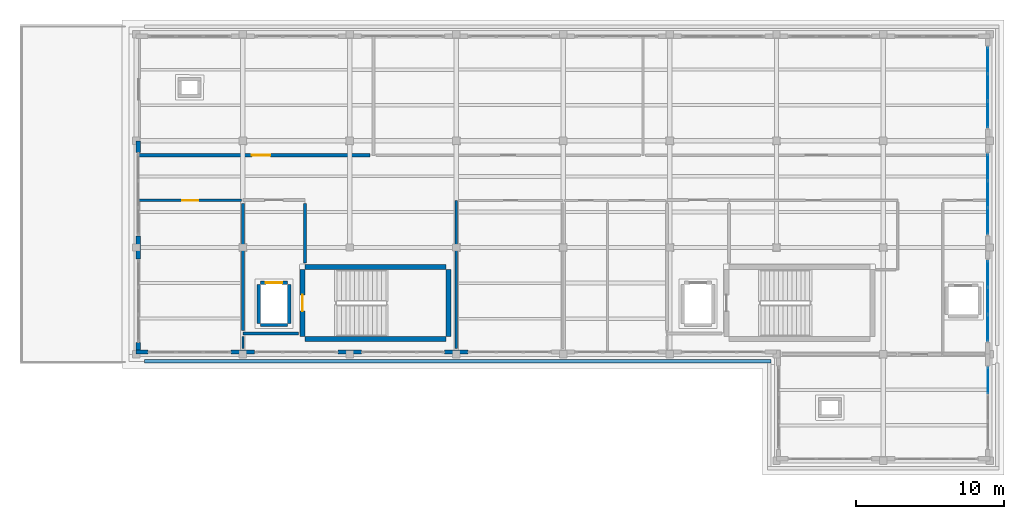
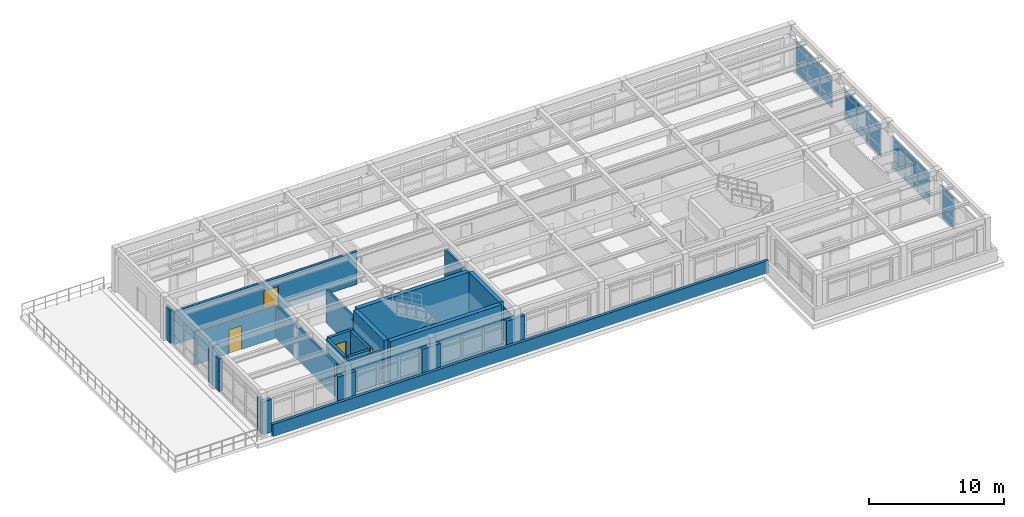
# One storey, part 13 of 18: 30 plates, 23 walls, 4 doors, 4 openings, 4 elements without a shape of their own.
"""IFC4 building model written with IfcOpenShell, lengths in metres."""

from ifc_helpers import new_model, si_unit, direction, frame, frame_2d, origin, origin_2d, place, context, subcontext, project, spatial, rectangle, extrude, material, layer, layer_set, type_object, element, fill, aggregate, save


model = new_model("IFC4")

# Units and contexts
model_context = context("Model", 3, precision=1e-05, world=origin(), true_north=direction((0.0, 1.0)))
body_context = subcontext(model_context, "Body", "Model", "MODEL_VIEW")
ifc_project = project(units=[si_unit("LENGTHUNIT", "METRE"), si_unit("AREAUNIT", "SQUARE_METRE"), si_unit("VOLUMEUNIT", "CUBIC_METRE"), si_unit("PLANEANGLEUNIT", "RADIAN"), si_unit("MASSUNIT", "GRAM", prefix="KILO")], contexts=[model_context])

# Site, building, storey
site_placement = place(None, origin())
site = spatial("IfcSite", under=ifc_project, at=site_placement, CompositionType="ELEMENT")
building_placement = place(site_placement, origin())
building = spatial("IfcBuilding", under=site, at=building_placement, Name="Solenvale Faculty of Natural Sciences", CompositionType="ELEMENT")
storey_placement = place(building_placement, frame((0.0, 0.0, 39.60009765625)))
storey = spatial("IfcBuildingStorey", under=building, at=storey_placement, Name="L09", CompositionType="ELEMENT", Elevation=39.60009765625)

# Curtain wall, plates
ifc_material_1 = material(Name="Anodised bronze aluminium", Category="aluminium")
ifc_layer_1 = layer(ifc_material_1, 0.179931640625)
ifc_layer_set_1 = layer_set([ifc_layer_1], Name="Anodised bronze aluminium")
curtain_wall_type = type_object("IfcCurtainWallType", Name="CW-TWR-MOD", PredefinedType="USERDEFINED", material=ifc_layer_set_1)
curtain_wall_1_placement = place(storey_placement, origin())
curtain_wall_1 = element("IfcCurtainWall", 1, at=curtain_wall_1_placement, inside=storey, type_object=curtain_wall_type, Name="L09 Curtain Wall CW-L09-P1-E7-B1", ObjectType="UNITISED CURTAIN WALL", PredefinedType="USERDEFINED")
ifc_material_2 = material(Name="Triple low-E insulated glass", Category="glass")
ifc_layer_2 = layer(ifc_material_2, 0.035888671875)
ifc_layer_set_2 = layer_set([ifc_layer_2], Name="Triple low-E insulated glass")
plate_type_1 = type_object("IfcPlateType", Name="CWP-PNL-36", PredefinedType="CURTAIN_PANEL", material=ifc_layer_set_2)
plate_1_placement = place(storey_placement, frame((151.0576171875, 91.814697265625, 0.074951171875), z_axis=(0.0, 0.0, 1.0), x_axis=(0.0, 1.0, 0.0)))
plate_1 = element("IfcPlate", 2, at=plate_1_placement, type_object=plate_type_1, Name="CW-04 panel 3.1", PredefinedType="CURTAIN_PANEL", context=body_context, shape_type="SweptSolid", body=[
    extrude(rectangle(XDim=1.720947265625, YDim=0.035888671875, at=origin_2d()), origin(), (0.0, 0.0, 1.0), 0.78759765625),
])
plate_2_placement = place(storey_placement, frame((151.0576171875, 91.814697265625, 0.9375), z_axis=(0.0, 0.0, 1.0), x_axis=(0.0, 1.0, 0.0)))
plate_2 = element("IfcPlate", 3, at=plate_2_placement, type_object=plate_type_1, Name="CW-04 panel 3.2", PredefinedType="CURTAIN_PANEL", context=body_context, shape_type="SweptSolid", body=[
    extrude(rectangle(XDim=1.720947265625, YDim=0.035888671875, at=origin_2d()), origin(), (0.0, 0.0, 1.0), 1.485107421875),
])
plate_3_placement = place(storey_placement, frame((151.0576171875, 91.814697265625, 2.49755859375), z_axis=(0.0, 0.0, 1.0), x_axis=(0.0, 1.0, 0.0)))
plate_3 = element("IfcPlate", 4, at=plate_3_placement, type_object=plate_type_1, Name="CW-04 panel 3.3", PredefinedType="CURTAIN_PANEL", context=body_context, shape_type="SweptSolid", body=[
    extrude(rectangle(XDim=1.720947265625, YDim=0.035888671875, at=origin_2d()), origin(), (0.0, 0.0, 1.0), 0.387451171875),
])
aggregate(curtain_wall_1, [plate_1, plate_2, plate_3])

curtain_wall_2_placement = place(storey_placement, origin())
curtain_wall_2 = element("IfcCurtainWall", 5, at=curtain_wall_2_placement, inside=storey, type_object=curtain_wall_type, Name="L09 Curtain Wall CW-L09-P1-E1-B1", ObjectType="UNITISED CURTAIN WALL", PredefinedType="USERDEFINED")
ifc_layer_3 = layer(ifc_material_2, 0.0439453125)
ifc_layer_set_3 = layer_set([ifc_layer_3], Name="Triple low-E insulated glass")
plate_type_2 = type_object("IfcPlateType", Name="CWP-PNL-44", PredefinedType="CURTAIN_PANEL", material=ifc_layer_set_3)
plate_4_placement = place(storey_placement, frame((151.0576171875, 95.385498046875, 0.074951171875), z_axis=(0.0, 0.0, 1.0), x_axis=(0.0, 1.0, 0.0)))
plate_4 = element("IfcPlate", 6, at=plate_4_placement, type_object=plate_type_2, Name="CW-04 panel 1.1", PredefinedType="CURTAIN_PANEL", context=body_context, shape_type="SweptSolid", body=[
    extrude(rectangle(XDim=1.720947265625, YDim=0.0439453125, at=origin_2d()), origin(), (0.0, 0.0, 1.0), 0.78759765625),
])
plate_5_placement = place(storey_placement, frame((151.0576171875, 95.385498046875, 0.9375), z_axis=(0.0, 0.0, 1.0), x_axis=(0.0, 1.0, 0.0)))
plate_5 = element("IfcPlate", 7, at=plate_5_placement, type_object=plate_type_2, Name="CW-04 panel 1.2", PredefinedType="CURTAIN_PANEL", context=body_context, shape_type="SweptSolid", body=[
    extrude(rectangle(XDim=1.720947265625, YDim=0.0439453125, at=origin_2d()), origin(), (0.0, 0.0, 1.0), 1.485107421875),
])
plate_6_placement = place(storey_placement, frame((151.0576171875, 95.385498046875, 2.49755859375), z_axis=(0.0, 0.0, 1.0), x_axis=(0.0, 1.0, 0.0)))
plate_6 = element("IfcPlate", 8, at=plate_6_placement, type_object=plate_type_2, Name="CW-04 panel 1.3", PredefinedType="CURTAIN_PANEL", context=body_context, shape_type="SweptSolid", body=[
    extrude(rectangle(XDim=1.720947265625, YDim=0.0439453125, at=origin_2d()), origin(), (0.0, 0.0, 1.0), 0.387451171875),
])
plate_7_placement = place(storey_placement, frame((151.0576171875, 97.199951171875, 0.074951171875), z_axis=(0.0, 0.0, 1.0), x_axis=(0.0, 1.0, 0.0)))
plate_7 = element("IfcPlate", 9, at=plate_7_placement, type_object=plate_type_2, Name="CW-04 panel 2.1", PredefinedType="CURTAIN_PANEL", context=body_context, shape_type="SweptSolid", body=[
    extrude(rectangle(XDim=1.75830078125, YDim=0.0439453125, at=origin_2d()), origin(), (0.0, 0.0, 1.0), 0.78759765625),
])
plate_8_placement = place(storey_placement, frame((151.0576171875, 97.199951171875, 0.9375), z_axis=(0.0, 0.0, 1.0), x_axis=(0.0, 1.0, 0.0)))
plate_8 = element("IfcPlate", 10, at=plate_8_placement, type_object=plate_type_2, Name="CW-04 panel 2.2", PredefinedType="CURTAIN_PANEL", context=body_context, shape_type="SweptSolid", body=[
    extrude(rectangle(XDim=1.75830078125, YDim=0.0439453125, at=origin_2d()), origin(), (0.0, 0.0, 1.0), 1.485107421875),
])
plate_9_placement = place(storey_placement, frame((151.0576171875, 97.199951171875, 2.49755859375), z_axis=(0.0, 0.0, 1.0), x_axis=(0.0, 1.0, 0.0)))
plate_9 = element("IfcPlate", 11, at=plate_9_placement, type_object=plate_type_2, Name="CW-04 panel 2.3", PredefinedType="CURTAIN_PANEL", context=body_context, shape_type="SweptSolid", body=[
    extrude(rectangle(XDim=1.75830078125, YDim=0.0439453125, at=origin_2d()), origin(), (0.0, 0.0, 1.0), 0.387451171875),
])
plate_10_placement = place(storey_placement, frame((151.0576171875, 99.0146484375, 0.074951171875), z_axis=(0.0, 0.0, 1.0), x_axis=(0.0, 1.0, 0.0)))
plate_10 = element("IfcPlate", 12, at=plate_10_placement, type_object=plate_type_2, Name="CW-04 panel 3.1", PredefinedType="CURTAIN_PANEL", context=body_context, shape_type="SweptSolid", body=[
    extrude(rectangle(XDim=1.720947265625, YDim=0.0439453125, at=origin_2d()), origin(), (0.0, 0.0, 1.0), 0.78759765625),
])
plate_11_placement = place(storey_placement, frame((151.0576171875, 99.0146484375, 0.9375), z_axis=(0.0, 0.0, 1.0), x_axis=(0.0, 1.0, 0.0)))
plate_11 = element("IfcPlate", 13, at=plate_11_placement, type_object=plate_type_2, Name="CW-04 panel 3.2", PredefinedType="CURTAIN_PANEL", context=body_context, shape_type="SweptSolid", body=[
    extrude(rectangle(XDim=1.720947265625, YDim=0.0439453125, at=origin_2d()), origin(), (0.0, 0.0, 1.0), 1.485107421875),
])
plate_12_placement = place(storey_placement, frame((151.0576171875, 99.0146484375, 2.49755859375), z_axis=(0.0, 0.0, 1.0), x_axis=(0.0, 1.0, 0.0)))
plate_12 = element("IfcPlate", 14, at=plate_12_placement, type_object=plate_type_2, Name="CW-04 panel 3.3", PredefinedType="CURTAIN_PANEL", context=body_context, shape_type="SweptSolid", body=[
    extrude(rectangle(XDim=1.720947265625, YDim=0.0439453125, at=origin_2d()), origin(), (0.0, 0.0, 1.0), 0.387451171875),
])
aggregate(curtain_wall_2, [plate_4, plate_5, plate_6, plate_7, plate_8, plate_9, plate_10, plate_11, plate_12])

curtain_wall_3_placement = place(storey_placement, origin())
curtain_wall_3 = element("IfcCurtainWall", 15, at=curtain_wall_3_placement, inside=storey, type_object=curtain_wall_type, Name="L09 Curtain Wall CW-L09-P1-E1-B2", ObjectType="UNITISED CURTAIN WALL", PredefinedType="USERDEFINED")
ifc_layer_4 = layer(ifc_material_1, 0.048095703125)
ifc_layer_set_4 = layer_set([ifc_layer_4], Name="Anodised bronze aluminium")
plate_type_3 = type_object("IfcPlateType", Name="CWP-PNL-48", PredefinedType="CURTAIN_PANEL", material=ifc_layer_set_4)
plate_13_placement = place(storey_placement, frame((151.0576171875, 102.58544921875, 0.074951171875), z_axis=(0.0, 0.0, 1.0), x_axis=(0.0, 1.0, 0.0)))
plate_13 = element("IfcPlate", 16, at=plate_13_placement, type_object=plate_type_3, Name="CW-04 panel 1.1", PredefinedType="CURTAIN_PANEL", context=body_context, shape_type="SweptSolid", body=[
    extrude(rectangle(XDim=1.720947265625, YDim=0.048095703125, at=origin_2d()), origin(), (0.0, 0.0, 1.0), 0.78759765625),
])
plate_14_placement = place(storey_placement, frame((151.0576171875, 102.58544921875, 0.9375), z_axis=(0.0, 0.0, 1.0), x_axis=(0.0, 1.0, 0.0)))
plate_14 = element("IfcPlate", 17, at=plate_14_placement, type_object=plate_type_3, Name="CW-04 panel 1.2", PredefinedType="CURTAIN_PANEL", context=body_context, shape_type="SweptSolid", body=[
    extrude(rectangle(XDim=1.720947265625, YDim=0.048095703125, at=origin_2d()), origin(), (0.0, 0.0, 1.0), 1.485107421875),
])
plate_15_placement = place(storey_placement, frame((151.0576171875, 102.58544921875, 2.49755859375), z_axis=(0.0, 0.0, 1.0), x_axis=(0.0, 1.0, 0.0)))
plate_15 = element("IfcPlate", 18, at=plate_15_placement, type_object=plate_type_3, Name="CW-04 panel 1.3", PredefinedType="CURTAIN_PANEL", context=body_context, shape_type="SweptSolid", body=[
    extrude(rectangle(XDim=1.720947265625, YDim=0.048095703125, at=origin_2d()), origin(), (0.0, 0.0, 1.0), 0.387451171875),
])
plate_16_placement = place(storey_placement, frame((151.0576171875, 104.39990234375, 0.074951171875), z_axis=(0.0, 0.0, 1.0), x_axis=(0.0, 1.0, 0.0)))
plate_16 = element("IfcPlate", 19, at=plate_16_placement, type_object=plate_type_3, Name="CW-04 panel 2.1", PredefinedType="CURTAIN_PANEL", context=body_context, shape_type="SweptSolid", body=[
    extrude(rectangle(XDim=1.75830078125, YDim=0.048095703125, at=origin_2d()), origin(), (0.0, 0.0, 1.0), 0.78759765625),
])
plate_17_placement = place(storey_placement, frame((151.0576171875, 104.39990234375, 0.9375), z_axis=(0.0, 0.0, 1.0), x_axis=(0.0, 1.0, 0.0)))
plate_17 = element("IfcPlate", 20, at=plate_17_placement, type_object=plate_type_3, Name="CW-04 panel 2.2", PredefinedType="CURTAIN_PANEL", context=body_context, shape_type="SweptSolid", body=[
    extrude(rectangle(XDim=1.75830078125, YDim=0.048095703125, at=origin_2d()), origin(), (0.0, 0.0, 1.0), 1.485107421875),
])
plate_18_placement = place(storey_placement, frame((151.0576171875, 104.39990234375, 2.49755859375), z_axis=(0.0, 0.0, 1.0), x_axis=(0.0, 1.0, 0.0)))
plate_18 = element("IfcPlate", 21, at=plate_18_placement, type_object=plate_type_3, Name="CW-04 panel 2.3", PredefinedType="CURTAIN_PANEL", context=body_context, shape_type="SweptSolid", body=[
    extrude(rectangle(XDim=1.75830078125, YDim=0.048095703125, at=origin_2d()), origin(), (0.0, 0.0, 1.0), 0.387451171875),
])
plate_19_placement = place(storey_placement, frame((151.0576171875, 106.214599609375, 0.074951171875), z_axis=(0.0, 0.0, 1.0), x_axis=(0.0, 1.0, 0.0)))
plate_19 = element("IfcPlate", 22, at=plate_19_placement, type_object=plate_type_3, Name="CW-04 panel 3.1", PredefinedType="CURTAIN_PANEL", context=body_context, shape_type="SweptSolid", body=[
    extrude(rectangle(XDim=1.720947265625, YDim=0.048095703125, at=origin_2d()), origin(), (0.0, 0.0, 1.0), 0.78759765625),
])
plate_20_placement = place(storey_placement, frame((151.0576171875, 106.214599609375, 0.9375), z_axis=(0.0, 0.0, 1.0), x_axis=(0.0, 1.0, 0.0)))
plate_20 = element("IfcPlate", 23, at=plate_20_placement, type_object=plate_type_3, Name="CW-04 panel 3.2", PredefinedType="CURTAIN_PANEL", context=body_context, shape_type="SweptSolid", body=[
    extrude(rectangle(XDim=1.720947265625, YDim=0.048095703125, at=origin_2d()), origin(), (0.0, 0.0, 1.0), 1.485107421875),
])
plate_21_placement = place(storey_placement, frame((151.0576171875, 106.214599609375, 2.49755859375), z_axis=(0.0, 0.0, 1.0), x_axis=(0.0, 1.0, 0.0)))
plate_21 = element("IfcPlate", 24, at=plate_21_placement, type_object=plate_type_3, Name="CW-04 panel 3.3", PredefinedType="CURTAIN_PANEL", context=body_context, shape_type="SweptSolid", body=[
    extrude(rectangle(XDim=1.720947265625, YDim=0.048095703125, at=origin_2d()), origin(), (0.0, 0.0, 1.0), 0.387451171875),
])
aggregate(curtain_wall_3, [plate_13, plate_14, plate_15, plate_16, plate_17, plate_18, plate_19, plate_20, plate_21])

curtain_wall_4_placement = place(storey_placement, origin())
curtain_wall_4 = element("IfcCurtainWall", 25, at=curtain_wall_4_placement, inside=storey, type_object=curtain_wall_type, Name="L09 Curtain Wall CW-L09-P1-E1-B3", ObjectType="UNITISED CURTAIN WALL", PredefinedType="USERDEFINED")
ifc_layer_5 = layer(ifc_material_1, 0.053955078125)
ifc_layer_set_5 = layer_set([ifc_layer_5], Name="Anodised bronze aluminium")
plate_type_4 = type_object("IfcPlateType", Name="CWP-PNL-54", PredefinedType="CURTAIN_PANEL", material=ifc_layer_set_5)
plate_22_placement = place(storey_placement, frame((151.0576171875, 109.785400390625, 0.074951171875), z_axis=(0.0, 0.0, 1.0), x_axis=(0.0, 1.0, 0.0)))
plate_22 = element("IfcPlate", 26, at=plate_22_placement, type_object=plate_type_4, Name="CW-04 panel 1.1", PredefinedType="CURTAIN_PANEL", context=body_context, shape_type="SweptSolid", body=[
    extrude(rectangle(XDim=1.720947265625, YDim=0.053955078125, at=origin_2d()), origin(), (0.0, 0.0, 1.0), 0.78759765625),
])
plate_23_placement = place(storey_placement, frame((151.0576171875, 109.785400390625, 0.9375), z_axis=(0.0, 0.0, 1.0), x_axis=(0.0, 1.0, 0.0)))
plate_23 = element("IfcPlate", 27, at=plate_23_placement, type_object=plate_type_4, Name="CW-04 panel 1.2", PredefinedType="CURTAIN_PANEL", context=body_context, shape_type="SweptSolid", body=[
    extrude(rectangle(XDim=1.720947265625, YDim=0.053955078125, at=origin_2d()), origin(), (0.0, 0.0, 1.0), 1.485107421875),
])
plate_24_placement = place(storey_placement, frame((151.0576171875, 109.785400390625, 2.49755859375), z_axis=(0.0, 0.0, 1.0), x_axis=(0.0, 1.0, 0.0)))
plate_24 = element("IfcPlate", 28, at=plate_24_placement, type_object=plate_type_4, Name="CW-04 panel 1.3", PredefinedType="CURTAIN_PANEL", context=body_context, shape_type="SweptSolid", body=[
    extrude(rectangle(XDim=1.720947265625, YDim=0.053955078125, at=origin_2d()), origin(), (0.0, 0.0, 1.0), 0.387451171875),
])
plate_25_placement = place(storey_placement, frame((151.0576171875, 111.60009765625, 0.074951171875), z_axis=(0.0, 0.0, 1.0), x_axis=(0.0, 1.0, 0.0)))
plate_25 = element("IfcPlate", 29, at=plate_25_placement, type_object=plate_type_4, Name="CW-04 panel 2.1", PredefinedType="CURTAIN_PANEL", context=body_context, shape_type="SweptSolid", body=[
    extrude(rectangle(XDim=1.75830078125, YDim=0.053955078125, at=origin_2d()), origin(), (0.0, 0.0, 1.0), 0.78759765625),
])
plate_26_placement = place(storey_placement, frame((151.0576171875, 111.60009765625, 0.9375), z_axis=(0.0, 0.0, 1.0), x_axis=(0.0, 1.0, 0.0)))
plate_26 = element("IfcPlate", 30, at=plate_26_placement, type_object=plate_type_4, Name="CW-04 panel 2.2", PredefinedType="CURTAIN_PANEL", context=body_context, shape_type="SweptSolid", body=[
    extrude(rectangle(XDim=1.75830078125, YDim=0.053955078125, at=origin_2d()), origin(), (0.0, 0.0, 1.0), 1.485107421875),
])
plate_27_placement = place(storey_placement, frame((151.0576171875, 111.60009765625, 2.49755859375), z_axis=(0.0, 0.0, 1.0), x_axis=(0.0, 1.0, 0.0)))
plate_27 = element("IfcPlate", 31, at=plate_27_placement, type_object=plate_type_4, Name="CW-04 panel 2.3", PredefinedType="CURTAIN_PANEL", context=body_context, shape_type="SweptSolid", body=[
    extrude(rectangle(XDim=1.75830078125, YDim=0.053955078125, at=origin_2d()), origin(), (0.0, 0.0, 1.0), 0.387451171875),
])
plate_28_placement = place(storey_placement, frame((151.0576171875, 113.41455078125, 0.074951171875), z_axis=(0.0, 0.0, 1.0), x_axis=(0.0, 1.0, 0.0)))
plate_28 = element("IfcPlate", 32, at=plate_28_placement, type_object=plate_type_4, Name="CW-04 panel 3.1", PredefinedType="CURTAIN_PANEL", context=body_context, shape_type="SweptSolid", body=[
    extrude(rectangle(XDim=1.720947265625, YDim=0.053955078125, at=origin_2d()), origin(), (0.0, 0.0, 1.0), 0.78759765625),
])
plate_29_placement = place(storey_placement, frame((151.0576171875, 113.41455078125, 0.9375), z_axis=(0.0, 0.0, 1.0), x_axis=(0.0, 1.0, 0.0)))
plate_29 = element("IfcPlate", 33, at=plate_29_placement, type_object=plate_type_4, Name="CW-04 panel 3.2", PredefinedType="CURTAIN_PANEL", context=body_context, shape_type="SweptSolid", body=[
    extrude(rectangle(XDim=1.720947265625, YDim=0.053955078125, at=origin_2d()), origin(), (0.0, 0.0, 1.0), 1.485107421875),
])
plate_30_placement = place(storey_placement, frame((151.0576171875, 113.41455078125, 2.49755859375), z_axis=(0.0, 0.0, 1.0), x_axis=(0.0, 1.0, 0.0)))
plate_30 = element("IfcPlate", 34, at=plate_30_placement, type_object=plate_type_4, Name="CW-04 panel 3.3", PredefinedType="CURTAIN_PANEL", context=body_context, shape_type="SweptSolid", body=[
    extrude(rectangle(XDim=1.720947265625, YDim=0.053955078125, at=origin_2d()), origin(), (0.0, 0.0, 1.0), 0.387451171875),
])
aggregate(curtain_wall_4, [plate_22, plate_23, plate_24, plate_25, plate_26, plate_27, plate_28, plate_29, plate_30])

# Walls
ifc_material_3 = material(Name="Precast concrete 40 MPa", Category="concrete")
ifc_layer_6 = layer(ifc_material_3, 0.284912109375)
ifc_layer_set_6 = layer_set([ifc_layer_6], Name="Precast concrete 40 MPa")
wall_type_1 = type_object("IfcWallType", Name="WL-EXT-PRC-285", PredefinedType="STANDARD", material=ifc_layer_set_6)
wall_1_placement = place(storey_placement, frame((93.742431640625, 108.0, 0.0), z_axis=(0.0, 0.0, 1.0), x_axis=(0.0, -1.0, 0.0)))
element("IfcWall", 35, at=wall_1_placement, inside=storey, type_object=wall_type_1, Name="L09 Facade Closure Pier 3.B2-L", PredefinedType="STANDARD", context=body_context, shape_type="SweptSolid", body=[
    extrude(rectangle(XDim=0.7880859375, YDim=0.284912109375, at=frame_2d((0.39404296875, 0.0))), origin(), (0.0, 0.0, 1.0), 2.9599609375),
])
wall_2_placement = place(storey_placement, frame((93.742431640625, 101.587890625, 0.0), z_axis=(0.0, 0.0, 1.0), x_axis=(0.0, -1.0, 0.0)))
element("IfcWall", 36, at=wall_2_placement, inside=storey, type_object=wall_type_1, Name="L09 Facade Closure Pier 3.B2-R", PredefinedType="STANDARD", context=body_context, shape_type="SweptSolid", body=[
    extrude(rectangle(XDim=1.575927734375, YDim=0.284912109375, at=frame_2d((0.7880859375, 0.0))), origin(), (0.0, 0.0, 1.0), 2.9599609375),
])
wall_3_placement = place(storey_placement, frame((93.742431640625, 94.387939453125, 0.0), z_axis=(0.0, 0.0, 1.0), x_axis=(0.0, -1.0, 0.0)))
element("IfcWall", 37, at=wall_3_placement, inside=storey, type_object=wall_type_1, Name="L09 Facade Closure Pier 3.B3-R", PredefinedType="STANDARD", context=body_context, shape_type="SweptSolid", body=[
    extrude(rectangle(XDim=0.5029296875, YDim=0.284912109375, at=frame_2d((0.25146484375, 0.0))), origin(), (0.0, 0.0, 1.0), 2.9599609375),
])
wall_4_placement = place(storey_placement, frame((93.60009765625, 93.742431640625, 0.0), z_axis=(0.0, 0.0, 1.0), x_axis=(1.0, 0.0, 0.0)))
element("IfcWall", 38, at=wall_4_placement, inside=storey, type_object=wall_type_1, Name="L09 Facade Closure Pier 4.B1-L", PredefinedType="STANDARD", context=body_context, shape_type="SweptSolid", body=[
    extrude(rectangle(XDim=0.787841796875, YDim=0.284912109375, at=frame_2d((0.39404296875, 0.0))), origin(), (0.0, 0.0, 1.0), 2.9599609375),
])
wall_5_placement = place(storey_placement, frame((100.011962890625, 93.742431640625, 0.0), z_axis=(0.0, 0.0, 1.0), x_axis=(1.0, 0.0, 0.0)))
element("IfcWall", 39, at=wall_5_placement, inside=storey, type_object=wall_type_1, Name="L09 Facade Closure Pier 4.B1-R", PredefinedType="STANDARD", context=body_context, shape_type="SweptSolid", body=[
    extrude(rectangle(XDim=1.575927734375, YDim=0.284912109375, at=frame_2d((0.7880859375, 0.0))), origin(), (0.0, 0.0, 1.0), 2.9599609375),
])
wall_6_placement = place(storey_placement, frame((107.2119140625, 93.742431640625, 0.0), z_axis=(0.0, 0.0, 1.0), x_axis=(1.0, 0.0, 0.0)))
element("IfcWall", 40, at=wall_6_placement, inside=storey, type_object=wall_type_1, Name="L09 Facade Closure Pier 4.B2-R", PredefinedType="STANDARD", context=body_context, shape_type="SweptSolid", body=[
    extrude(rectangle(XDim=1.576171875, YDim=0.284912109375, at=frame_2d((0.7880859375, 0.0))), origin(), (0.0, 0.0, 1.0), 2.9599609375),
])
wall_7_placement = place(storey_placement, frame((114.412109375, 93.742431640625, 0.0), z_axis=(0.0, 0.0, 1.0), x_axis=(1.0, 0.0, 0.0)))
element("IfcWall", 41, at=wall_7_placement, inside=storey, type_object=wall_type_1, Name="L09 Facade Closure Pier 4.B3-R", PredefinedType="STANDARD", context=body_context, shape_type="SweptSolid", body=[
    extrude(rectangle(XDim=1.575927734375, YDim=0.284912109375, at=frame_2d((0.7880859375, 0.0))), origin(), (0.0, 0.0, 1.0), 2.9599609375),
])
ifc_material_4 = material(Name="Gypsum fire-rated shaftwall")
ifc_layer_7 = layer(ifc_material_4, 0.205078125)
ifc_layer_set_7 = layer_set([ifc_layer_7], Name="Gypsum fire-rated shaftwall")
wall_type_2 = type_object("IfcWallType", Name="WL-FFL-205", PredefinedType="PARTITIONING", material=ifc_layer_set_7)
wall_8_placement = place(storey_placement, frame((105.0, 103.782958984375, 0.0), z_axis=(0.0, 0.0, 1.0), x_axis=(0.0, -1.0, 0.0)))
element("IfcWall", 42, at=wall_8_placement, inside=storey, type_object=wall_type_2, Name="L09 Firefighting Lobby C4 Partition 2", PredefinedType="PARTITIONING", context=body_context, shape_type="SweptSolid", body=[
    extrude(rectangle(XDim=4.01904296875, YDim=0.205078125, at=frame_2d((2.009521484375, 0.0))), origin(), (0.0, 0.0, 1.0), 2.9599609375),
])
wall_9_placement = place(storey_placement, frame((104.534912109375, 95.0, 0.0), z_axis=(0.0, 0.0, 1.0), x_axis=(-1.0, 0.0, 0.0)))
element("IfcWall", 43, at=wall_9_placement, inside=storey, type_object=wall_type_2, Name="L09 Firefighting Lobby C4 Partition 20", PredefinedType="PARTITIONING", context=body_context, shape_type="SweptSolid", body=[
    extrude(rectangle(XDim=3.73486328125, YDim=0.205078125, at=frame_2d((1.867431640625, 0.0))), origin(), (0.0, 0.0, 1.0), 2.9599609375),
])
wall_10_placement = place(storey_placement, frame((100.800048828125, 95.217041015625, 0.0), z_axis=(0.0, 0.0, 1.0), x_axis=(0.0, 1.0, 0.0)))
element("IfcWall", 44, at=wall_10_placement, inside=storey, type_object=wall_type_2, Name="L09 Firefighting Lobby C4 Partition 21", PredefinedType="PARTITIONING", context=body_context, shape_type="SweptSolid", body=[
    extrude(rectangle(XDim=8.56591796875, YDim=0.205078125, at=frame_2d((4.282958984375, 0.0))), origin(), (0.0, 0.0, 1.0), 2.9599609375),
])

# Wall, opening, door
ifc_material_5 = material(Name="Gypsum fire-rated laboratory partition")
ifc_layer_8 = layer(ifc_material_5, 0.2119140625)
ifc_layer_set_8 = layer_set([ifc_layer_8], Name="Gypsum fire-rated laboratory partition")
wall_type_3 = type_object("IfcWallType", Name="WL-LAB-212", PredefinedType="PARTITIONING", material=ifc_layer_set_8)
wall_11_placement = place(storey_placement, frame((109.3759765625, 107.02001953125, 0.0), z_axis=(0.0, 0.0, 1.0), x_axis=(-1.0, 0.0, 0.0)))
wall_11 = element("IfcWall", 45, at=wall_11_placement, inside=storey, type_object=wall_type_3, Name="L09 Biophysics and Neurobiology Research Laboratory Partition 4", PredefinedType="PARTITIONING", context=body_context, shape_type="SweptSolid", body=[
    extrude(rectangle(XDim=15.593017578125, YDim=0.2119140625, at=frame_2d((7.79638671875, 0.0))), origin(), (0.0, 0.0, 1.0), 2.9599609375),
])
opening_1_placement = place(wall_11_placement, frame((6.721923828125, 0.0, 0.0)))
opening_1 = element("IfcOpeningElement", 46, at=opening_1_placement, cuts=wall_11, Name="Opening D-L09-03", PredefinedType="OPENING", context=body_context, shape_type="SweptSolid", body=[
    extrude(rectangle(XDim=1.25, YDim=2.14990234375, at=frame_2d((0.625, 1.074951171875))), frame((0.0, 0.115966796875, 0.0), z_axis=(0.0, -1.0, 0.0), x_axis=(1.0, 0.0, 0.0)), (0.0, 0.0, 1.0), 0.23193359375),
])
ifc_material_6 = material(Name="Oak acoustic timber leaf", Category="wood")
door_type_1 = type_object("IfcDoorType", Name="DR-LAB-1250x2150", OperationType="NOTDEFINED", PredefinedType="DOOR", material=ifc_material_6)
door_1_placement = place(opening_1_placement, origin())
door_1 = element("IfcDoor", 47, at=door_1_placement, inside=storey, type_object=door_type_1, Name="L09 Biophysics and Neurobiology Research Laboratory Door", OperationType="SINGLE_SWING_RIGHT", OverallHeight=2.14990234375, OverallWidth=1.25, PredefinedType="DOOR", context=body_context, shape_type="SweptSolid", body=[
    extrude(rectangle(XDim=1.25, YDim=2.14990234375, at=frame_2d((0.625, 1.074951171875))), frame((0.0, 0.02490234375, 0.0), z_axis=(0.0, -1.0, 0.0), x_axis=(1.0, 0.0, 0.0)), (0.0, 0.0, 1.0), 0.050048828125),
])
fill(opening_1, door_1)

# Wall
ifc_material_7 = material(Name="Architectural bronze concrete 40 MPa", Category="concrete")
ifc_layer_9 = layer(ifc_material_7, 0.239990234375)
ifc_layer_set_9 = layer_set([ifc_layer_9], Name="Architectural bronze concrete 40 MPa")
wall_type_4 = type_object("IfcWallType", Name="WL-PAR-BRZ-240", PredefinedType="PARAPET", material=ifc_layer_set_9)
wall_12_placement = place(storey_placement, frame((136.43994140625, 93.1201171875, 0.0), z_axis=(0.0, 0.0, 1.0), x_axis=(-1.0, 0.0, 0.0)))
element("IfcWall", 48, at=wall_12_placement, inside=storey, type_object=wall_type_4, Name="L09 Tower Horizontal Concrete Band 1", PredefinedType="PARAPET", context=body_context, shape_type="SweptSolid", body=[
    extrude(rectangle(XDim=42.280029296875, YDim=0.239990234375, at=frame_2d((21.14013671875, 0.0))), origin(), (0.0, 0.0, 1.0), 1.119873046875),
])

# Wall, opening, door
ifc_material_8 = material(Name="Acoustic double-stud gypsum partition")
ifc_layer_10 = layer(ifc_material_8, 0.155029296875)
ifc_layer_set_10 = layer_set([ifc_layer_10], Name="Acoustic double-stud gypsum partition")
wall_type_5 = type_object("IfcWallType", Name="WL-SEM-155", PredefinedType="PARTITIONING", material=ifc_layer_set_10)
wall_13_placement = place(storey_placement, frame((93.782958984375, 103.97998046875, 0.0), z_axis=(0.0, 0.0, 1.0), x_axis=(1.0, 0.0, 0.0)))
wall_13 = element("IfcWall", 49, at=wall_13_placement, inside=storey, type_object=wall_type_5, Name="L09 Seminar Room Partition 2", PredefinedType="PARTITIONING", context=body_context, shape_type="SweptSolid", body=[
    extrude(rectangle(XDim=6.927001953125, YDim=0.155029296875, at=frame_2d((3.46337890625, 0.0))), origin(), (0.0, 0.0, 1.0), 2.9599609375),
])
opening_2_placement = place(wall_13_placement, frame((2.923095703125, 0.0, 0.0)))
opening_2 = element("IfcOpeningElement", 50, at=opening_2_placement, cuts=wall_13, Name="Opening D-L09-06", PredefinedType="OPENING", context=body_context, shape_type="SweptSolid", body=[
    extrude(rectangle(XDim=1.080078125, YDim=2.14990234375, at=frame_2d((0.5400390625, 1.074951171875))), frame((0.0, 0.08740234375, 0.0), z_axis=(0.0, -1.0, 0.0), x_axis=(1.0, 0.0, 0.0)), (0.0, 0.0, 1.0), 0.175048828125),
])
door_type_2 = type_object("IfcDoorType", Name="DR-SEM-1080x2150", OperationType="NOTDEFINED", PredefinedType="DOOR", material=ifc_material_6)
door_2_placement = place(opening_2_placement, origin())
door_2 = element("IfcDoor", 51, at=door_2_placement, inside=storey, type_object=door_type_2, Name="L09 Seminar Room Door", OperationType="SINGLE_SWING_LEFT", OverallHeight=2.14990234375, OverallWidth=1.080078125, PredefinedType="DOOR", context=body_context, shape_type="SweptSolid", body=[
    extrude(rectangle(XDim=1.080078125, YDim=2.14990234375, at=frame_2d((0.5400390625, 1.074951171875))), frame((0.0, 0.02490234375, 0.0), z_axis=(0.0, -1.0, 0.0), x_axis=(1.0, 0.0, 0.0)), (0.0, 0.0, 1.0), 0.050048828125),
])
fill(opening_2, door_2)

# Walls
wall_14_placement = place(storey_placement, frame((100.800048828125, 94.80810546875, 0.0), z_axis=(0.0, 0.0, 1.0), x_axis=(0.0, -1.0, 0.0)))
element("IfcWall", 52, at=wall_14_placement, inside=storey, type_object=wall_type_5, Name="L09 Seminar Room Partition 20", PredefinedType="PARTITIONING", context=body_context, shape_type="SweptSolid", body=[
    extrude(rectangle(XDim=0.8330078125, YDim=0.155029296875, at=frame_2d((0.41650390625, 0.0))), origin(), (0.0, 0.0, 1.0), 2.9599609375),
])
ifc_material_9 = material(Name="Concrete 40 MPa", Category="concrete")
ifc_layer_11 = layer(ifc_material_9, 0.219970703125)
ifc_layer_set_11 = layer_set([ifc_layer_11], Name="Concrete 40 MPa")
wall_type_6 = type_object("IfcWallType", Name="WL-SHF-220", PredefinedType="STANDARD", material=ifc_layer_set_11)
wall_15_placement = place(storey_placement, frame((101.97998046875, 95.570068359375, 0.0), z_axis=(0.0, 0.0, 1.0), x_axis=(1.0, 0.0, 0.0)))
element("IfcWall", 53, at=wall_15_placement, inside=storey, type_object=wall_type_6, Name="Elevator LF-01 L09 Shaft Wall S", PredefinedType="STANDARD", context=body_context, shape_type="SweptSolid", body=[
    extrude(rectangle(XDim=1.840087890625, YDim=0.219970703125, at=frame_2d((0.919921875, 0.0))), origin(), (0.0, 0.0, 1.0), 2.9599609375),
])

# Wall, opening, door
wall_16_placement = place(storey_placement, frame((101.97998046875, 98.429931640625, 0.0), z_axis=(0.0, 0.0, 1.0), x_axis=(1.0, 0.0, 0.0)))
wall_16 = element("IfcWall", 54, at=wall_16_placement, inside=storey, type_object=wall_type_6, Name="Elevator LF-01 L09 Shaft Wall N", PredefinedType="STANDARD", context=body_context, shape_type="SweptSolid", body=[
    extrude(rectangle(XDim=1.840087890625, YDim=0.219970703125, at=frame_2d((0.919921875, 0.0))), origin(), (0.0, 0.0, 1.0), 2.9599609375),
])
opening_3_placement = place(wall_16_placement, frame((0.3701171875, 0.0, 0.0)))
opening_3 = element("IfcOpeningElement", 55, at=opening_3_placement, cuts=wall_16, Name="Opening LD-LF-01-L09", PredefinedType="OPENING", context=body_context, shape_type="SweptSolid", body=[
    extrude(rectangle(XDim=1.10009765625, YDim=2.14990234375, at=frame_2d((0.550048828125, 1.074951171875))), frame((0.0, 0.119873046875, 0.0), z_axis=(0.0, -1.0, 0.0), x_axis=(1.0, 0.0, 0.0)), (0.0, 0.0, 1.0), 0.239990234375),
])
ifc_material_10 = material(Name="Stainless steel Grade 304", Category="steel")
door_type_3 = type_object("IfcDoorType", Name="DR-LIFT-1100x2150", OperationType="NOTDEFINED", PredefinedType="DOOR", material=ifc_material_10)
door_3_placement = place(opening_3_placement, origin())
door_3 = element("IfcDoor", 56, at=door_3_placement, inside=storey, type_object=door_type_3, Name="Elevator LF-01 L09 Sliding Landing Door", OperationType="SLIDING_TO_RIGHT", OverallHeight=2.14990234375, OverallWidth=1.10009765625, PredefinedType="DOOR", context=body_context, shape_type="SweptSolid", body=[
    extrude(rectangle(XDim=1.10009765625, YDim=2.14990234375, at=frame_2d((0.550048828125, 1.074951171875))), frame((0.0, 0.02490234375, 0.0), z_axis=(0.0, -1.0, 0.0), x_axis=(1.0, 0.0, 0.0)), (0.0, 0.0, 1.0), 0.050048828125),
])
fill(opening_3, door_3)

# Walls
for number, where, z_axis, x_axis, name in (
    (57, (101.8701171875, 95.679931640625, 0.0), (0.0, 0.0, 1.0), (0.0, 1.0, 0.0), "Elevator LF-01 L09 Shaft Wall W"),
    (58, (103.929931640625, 95.679931640625, 0.0), (0.0, 0.0, 1.0), (0.0, 1.0, 0.0), "Elevator LF-01 L09 Shaft Wall E"),
):
    element("IfcWall", number, at=place(storey_placement, frame(where, z_axis=z_axis, x_axis=x_axis)), inside=storey, type_object=wall_type_6, Name=name, PredefinedType="STANDARD", context=body_context, shape_type="SweptSolid", body=[
        extrude(rectangle(XDim=2.64013671875, YDim=0.219970703125, at=frame_2d((1.320068359375, 0.0))), origin(), (0.0, 0.0, 1.0), 2.9599609375),
    ])
ifc_material_11 = material(Name="Concrete 50 MPa", Category="concrete")
ifc_layer_12 = layer(ifc_material_11, 0.35009765625)
ifc_layer_set_12 = layer_set([ifc_layer_12], Name="Concrete 50 MPa")
wall_type_7 = type_object("IfcWallType", Name="WL-SHR-350", PredefinedType="SHEAR", material=ifc_layer_set_12)
for number, where, z_axis, x_axis, name in (
    (59, (105.0, 94.625, 0.0), (0.0, 0.0, 1.0), (1.0, 0.0, 0.0), "Core C4 L09 Shear Wall S"),
    (60, (105.0, 99.47509765625, 0.0), (0.0, 0.0, 1.0), (1.0, 0.0, 0.0), "Core C4 L09 Shear Wall N"),
):
    element("IfcWall", number, at=place(storey_placement, frame(where, z_axis=z_axis, x_axis=x_axis)), inside=storey, type_object=wall_type_7, Name=name, PredefinedType="SHEAR", context=body_context, shape_type="SweptSolid", body=[
        extrude(rectangle(XDim=9.5, YDim=0.35009765625, at=frame_2d((4.75, 0.0))), origin(), (0.0, 0.0, 1.0), 3.919921875),
    ])

# Wall, opening, door
wall_17_placement = place(storey_placement, frame((104.824951171875, 94.800048828125, 0.0), z_axis=(0.0, 0.0, 1.0), x_axis=(0.0, 1.0, 0.0)))
wall_17 = element("IfcWall", 61, at=wall_17_placement, inside=storey, type_object=wall_type_7, Name="Core C4 L09 Shear Wall W", PredefinedType="SHEAR", context=body_context, shape_type="SweptSolid", body=[
    extrude(rectangle(XDim=4.5, YDim=0.35009765625, at=frame_2d((2.25, 0.0))), origin(), (0.0, 0.0, 1.0), 3.919921875),
])
opening_4_placement = place(wall_17_placement, frame((1.699951171875, 0.0, 0.0)))
opening_4 = element("IfcOpeningElement", 62, at=opening_4_placement, cuts=wall_17, Name="Opening DS-C4-L09", PredefinedType="OPENING", context=body_context, shape_type="SweptSolid", body=[
    extrude(rectangle(XDim=1.10009765625, YDim=2.14990234375, at=frame_2d((0.550048828125, 1.074951171875))), frame((0.0, 0.18505859375, 0.0), z_axis=(0.0, -1.0, 0.0), x_axis=(1.0, 0.0, 0.0)), (0.0, 0.0, 1.0), 0.3701171875),
])
ifc_material_12 = material(Name="Galvanised steel S355", Category="steel")
door_type_4 = type_object("IfcDoorType", Name="DR-STAIR-1100x2150", OperationType="NOTDEFINED", PredefinedType="DOOR", material=ifc_material_12)
door_4_placement = place(opening_4_placement, origin())
door_4 = element("IfcDoor", 63, at=door_4_placement, inside=storey, type_object=door_type_4, Name="L09 Stair ST-04 Fire Door", OperationType="SINGLE_SWING_RIGHT", OverallHeight=2.14990234375, OverallWidth=1.10009765625, PredefinedType="DOOR", context=body_context, shape_type="SweptSolid", body=[
    extrude(rectangle(XDim=1.10009765625, YDim=2.14990234375, at=frame_2d((0.550048828125, 1.074951171875))), frame((0.0, 0.02490234375, 0.0), z_axis=(0.0, -1.0, 0.0), x_axis=(1.0, 0.0, 0.0)), (0.0, 0.0, 1.0), 0.050048828125),
])
fill(opening_4, door_4)

# Walls
wall_18_placement = place(storey_placement, frame((114.675048828125, 94.800048828125, 0.0), z_axis=(0.0, 0.0, 1.0), x_axis=(0.0, 1.0, 0.0)))
element("IfcWall", 64, at=wall_18_placement, inside=storey, type_object=wall_type_7, Name="Core C4 L09 Shear Wall E", PredefinedType="SHEAR", context=body_context, shape_type="SweptSolid", body=[
    extrude(rectangle(XDim=4.5, YDim=0.35009765625, at=frame_2d((2.25, 0.0))), origin(), (0.0, 0.0, 1.0), 3.919921875),
])
ifc_material_13 = material(Name="Moisture-resistant tile partition")
ifc_layer_13 = layer(ifc_material_13, 0.14990234375)
ifc_layer_set_13 = layer_set([ifc_layer_13], Name="Moisture-resistant tile partition")
wall_type_8 = type_object("IfcWallType", Name="WL-WC-150", PredefinedType="PARTITIONING", material=ifc_layer_set_13)
wall_19_placement = place(storey_placement, frame((115.199951171875, 93.971923828125, 0.0), z_axis=(0.0, 0.0, 1.0), x_axis=(0.0, 1.0, 0.0)))
element("IfcWall", 65, at=wall_19_placement, inside=storey, type_object=wall_type_8, Name="L09 Public Washroom Partition 1", PredefinedType="PARTITIONING", context=body_context, shape_type="SweptSolid", body=[
    extrude(rectangle(XDim=10.008056640625, YDim=0.14990234375, at=frame_2d((5.00390625, 0.0))), origin(), (0.0, 0.0, 1.0), 2.9599609375),
])

save(model, "model.ifc")
